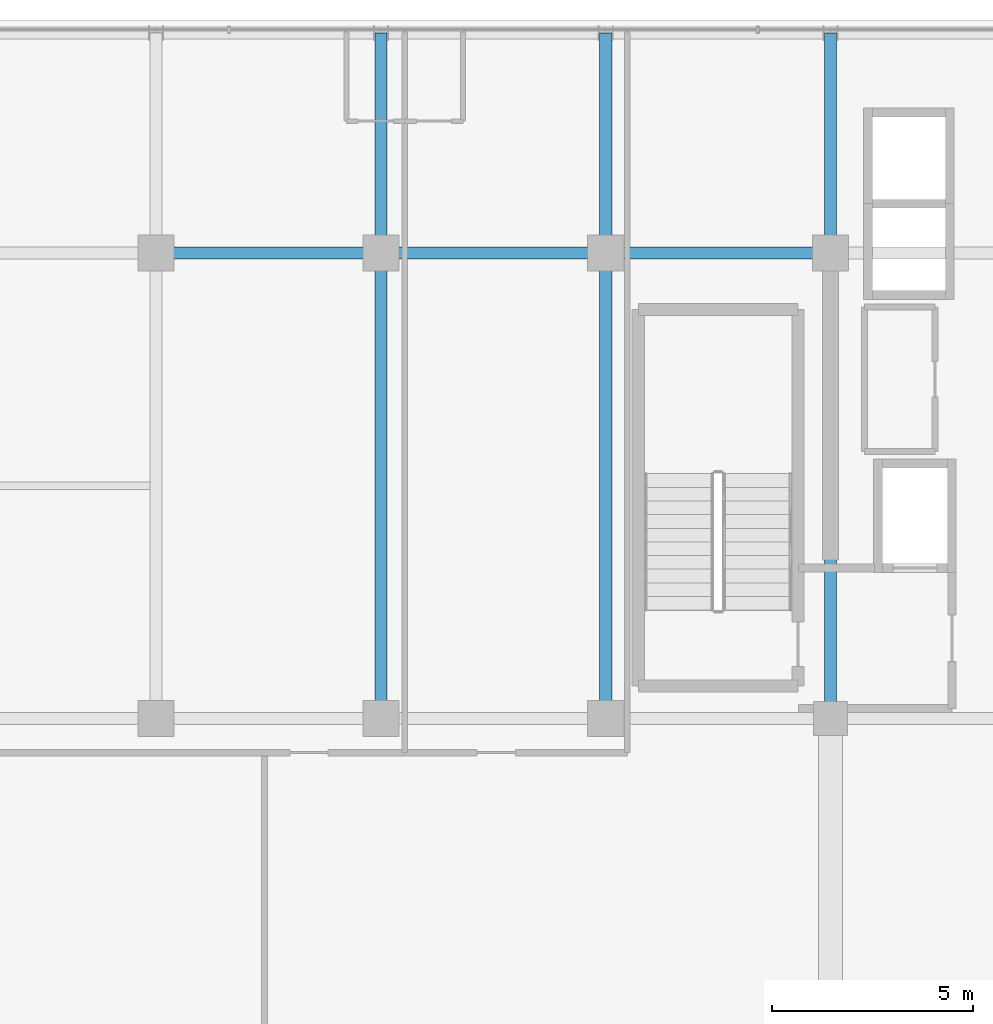
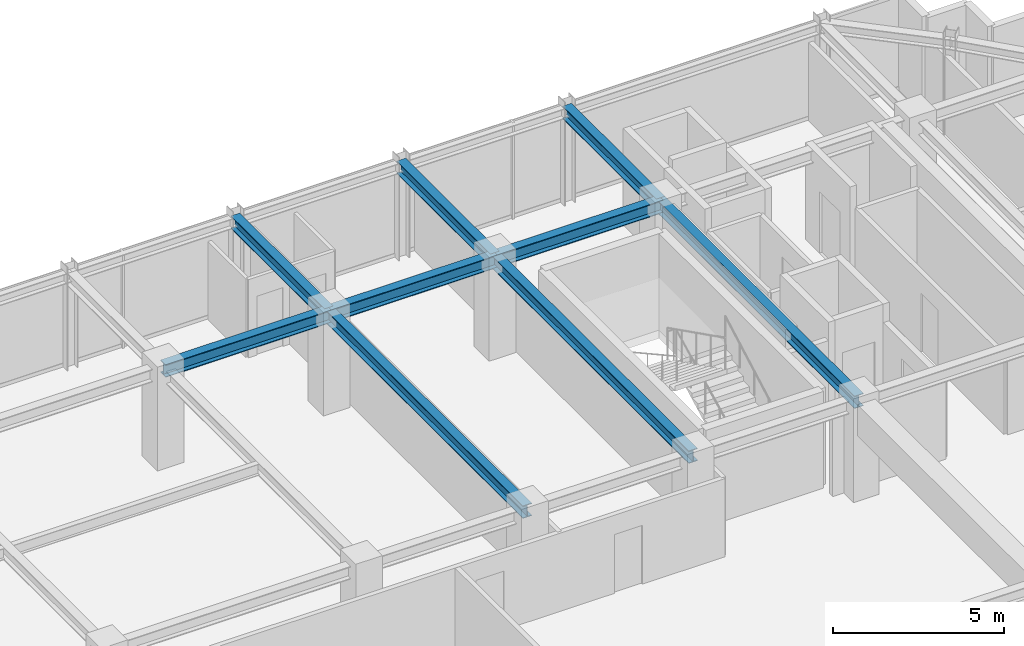
# One storey, part 18 of 32: 9 beams.
"""IFC4 building model written with IfcOpenShell, lengths in metres."""

from ifc_helpers import new_model, si_unit, direction, frame, origin, origin_2d, place, context, subcontext, project, spatial, i_section, extrude, source, transform, mapped, material, material_profile, profile_set, type_object, element, save


model = new_model("IFC4")

# Units and contexts
model_context = context("Model", 3, precision=1e-05, world=origin(), true_north=direction((0.0, 1.0)))
body_context = subcontext(model_context, "Body", "Model", "MODEL_VIEW")
ifc_project = project(units=[si_unit("LENGTHUNIT", "METRE"), si_unit("AREAUNIT", "SQUARE_METRE"), si_unit("VOLUMEUNIT", "CUBIC_METRE"), si_unit("PLANEANGLEUNIT", "RADIAN"), si_unit("MASSUNIT", "GRAM", prefix="KILO")], contexts=[model_context])

# Site, building, storey
site_placement = place(None, origin())
site = spatial("IfcSite", under=ifc_project, at=site_placement, CompositionType="ELEMENT")
building_placement = place(site_placement, origin())
building = spatial("IfcBuilding", under=site, at=building_placement, Name="Nahalor Promenade Grand Hotel", CompositionType="ELEMENT")
storey_placement = place(building_placement, frame((0.0, 0.0, 285.050048828125)))
storey = spatial("IfcBuildingStorey", under=building, at=storey_placement, Name="L73", CompositionType="ELEMENT", Elevation=285.050048828125)

# Beams
ifc_material = material(Name="Steel S355JR", Category="steel")
ifc_material_profile = material_profile(ifc_material, i_section(OverallWidth=0.3, OverallDepth=0.45, WebThickness=0.014, FlangeThickness=0.026, at=origin_2d()), Name="HEB 450")
ifc_profile_set = profile_set([ifc_material_profile], Name="Steel S355JR")
beam_type = type_object("IfcBeamType", Name="Beam-Girder-HEB450", PredefinedType="BEAM", material=ifc_profile_set)
shared_shape_1 = source(origin(), body_context, "Body", "SweptSolid", [
    extrude(i_section(OverallWidth=0.3, OverallDepth=0.45, WebThickness=0.014, FlangeThickness=0.026, at=origin_2d()), origin(), (0.0, 0.0, 1.0), 5.599853515625),
])
for number, where, z_axis, x_axis, name in (
    (1, (-8.39990234375, 17.0, 3.224853515625), (1.0, 0.0, 0.0), (0.0, 1.0, 0.0), "BM-L73-GX-3-2"),
    (2, (2.800048828125, 17.0, 3.224853515625), (1.0, 0.0, 0.0), (0.0, 1.0, 0.0), "BM-L73-GX-3-4"),
):
    element("IfcBeam", number, at=place(storey_placement, frame(where, z_axis=z_axis, x_axis=x_axis)), inside=storey, type_object=beam_type, Name=name, PredefinedType="BEAM", context=body_context, shape_type="MappedRepresentation", body=[
        mapped(shared_shape_1, transform((0.0, 0.0, 0.0), scale=1.0)),
    ])
shared_shape_2 = source(origin(), body_context, "Body", "SweptSolid", [
    extrude(i_section(OverallWidth=0.3, OverallDepth=0.45, WebThickness=0.014, FlangeThickness=0.026, at=origin_2d()), origin(), (0.0, 0.0, 1.0), 5.60009765625),
])
beam_placement = place(storey_placement, frame((-2.800048828125, 17.0, 3.224853515625), z_axis=(1.0, 0.0, 0.0), x_axis=(0.0, 1.0, 0.0)))
element("IfcBeam", 3, at=beam_placement, inside=storey, type_object=beam_type, Name="BM-L73-GX-3-3", PredefinedType="BEAM", context=body_context, shape_type="MappedRepresentation", body=[
    mapped(shared_shape_2, transform((0.0, 0.0, 0.0), scale=1.0)),
])
shared_shape_3 = source(origin(), body_context, "Body", "SweptSolid", [
    extrude(i_section(OverallWidth=0.3, OverallDepth=0.45, WebThickness=0.014, FlangeThickness=0.026, at=origin_2d()), origin(), (0.0, 0.0, 1.0), 11.60009765625),
])
for number, where, z_axis, x_axis, name in (
    (4, (-2.800048828125, 5.39990234375, 3.224853515625), (0.0, 1.0, 0.0), (-1.0, 0.0, 0.0), "BM-L73-GY-2-3"),
    (5, (2.800048828125, 5.39990234375, 3.224853515625), (0.0, 1.0, 0.0), (-1.0, 0.0, 0.0), "BM-L73-GY-3-3"),
    (6, (8.39990234375, 5.39990234375, 3.224853515625), (0.0, 1.0, 0.0), (-1.0, 0.0, 0.0), "BM-L73-GY-4-3"),
):
    element("IfcBeam", number, at=place(storey_placement, frame(where, z_axis=z_axis, x_axis=x_axis)), inside=storey, type_object=beam_type, Name=name, PredefinedType="BEAM", context=body_context, shape_type="MappedRepresentation", body=[
        mapped(shared_shape_3, transform((0.0, 0.0, 0.0), scale=1.0)),
    ])
shared_shape_4 = source(origin(), body_context, "Body", "SweptSolid", [
    extrude(i_section(OverallWidth=0.3, OverallDepth=0.45, WebThickness=0.014, FlangeThickness=0.026, at=origin_2d()), origin(), (0.0, 0.0, 1.0), 5.47998046875),
])
for number, where, z_axis, x_axis, name in (
    (7, (-2.800048828125, 17.0, 3.224853515625), (0.0, 1.0, 0.0), (-1.0, 0.0, 0.0), "BM-L73-GY-2-4"),
    (8, (2.800048828125, 17.0, 3.224853515625), (0.0, 1.0, 0.0), (-1.0, 0.0, 0.0), "BM-L73-GY-3-4"),
    (9, (8.39990234375, 17.0, 3.224853515625), (0.0, 1.0, 0.0), (-1.0, 0.0, 0.0), "BM-L73-GY-4-4"),
):
    element("IfcBeam", number, at=place(storey_placement, frame(where, z_axis=z_axis, x_axis=x_axis)), inside=storey, type_object=beam_type, Name=name, PredefinedType="BEAM", context=body_context, shape_type="MappedRepresentation", body=[
        mapped(shared_shape_4, transform((0.0, 0.0, 0.0), scale=1.0)),
    ])

save(model, "model.ifc")
